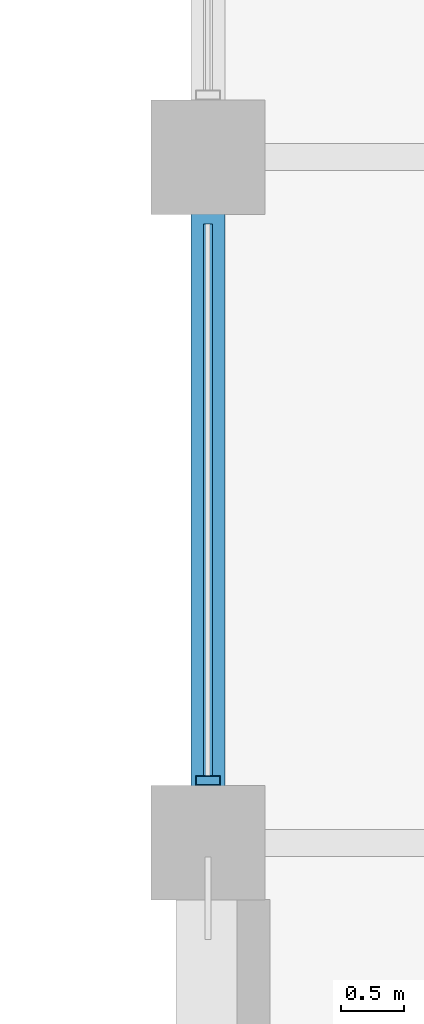
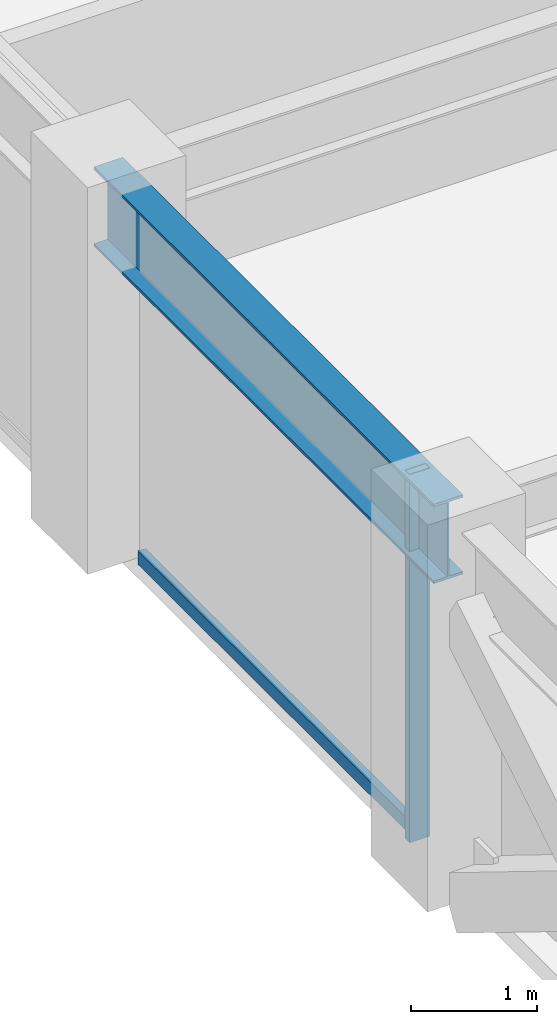
# One storey, part 4 of 32: 2 members, 1 beam, 1 element without a shape of its own.
"""IFC4 building model written with IfcOpenShell, lengths in metres."""

from ifc_helpers import new_model, si_unit, direction, frame, origin, origin_2d, place, context, subcontext, project, spatial, hollow_rectangle, i_section, extrude, material, layer, layer_set, material_profile, profile_set, type_object, element, aggregate, save


model = new_model("IFC4")

# Units and contexts
model_context = context("Model", 3, precision=1e-05, world=origin(), true_north=direction((0.0, 1.0)))
body_context = subcontext(model_context, "Body", "Model", "MODEL_VIEW")
ifc_project = project(units=[si_unit("LENGTHUNIT", "METRE"), si_unit("AREAUNIT", "SQUARE_METRE"), si_unit("VOLUMEUNIT", "CUBIC_METRE"), si_unit("PLANEANGLEUNIT", "RADIAN"), si_unit("MASSUNIT", "GRAM", prefix="KILO")], contexts=[model_context])

# Site, building, storey
site_placement = place(None, origin())
site = spatial("IfcSite", under=ifc_project, at=site_placement, CompositionType="ELEMENT")
building_placement = place(site_placement, origin())
building = spatial("IfcBuilding", under=site, at=building_placement, Name="Surkhivell Harbour Commons", CompositionType="ELEMENT")
storey_placement = place(building_placement, frame((0.0, 0.0, 189.75)))
storey = spatial("IfcBuildingStorey", under=building, at=storey_placement, Name="L49", CompositionType="ELEMENT", Elevation=189.75)

# Beam
ifc_material_1 = material(Name="Steel S355", Category="steel")
ifc_material_profile_1 = material_profile(ifc_material_1, i_section(OverallWidth=0.26806640625, OverallDepth=0.77001953125, WebThickness=0.015625, FlangeThickness=0.025390625, at=origin_2d()), Name="UB762x267x197")
ifc_profile_set_1 = profile_set([ifc_material_profile_1], Name="Steel S355")
beam_type = type_object("IfcBeamType", Name="BM-SPN-762", PredefinedType="SPANDREL", material=ifc_profile_set_1)
beam_placement = place(storey_placement, frame((-27.0, -10.800048828125, 3.18505859375), z_axis=(0.0, 1.0, 0.0), x_axis=(-1.0, 0.0, 0.0)))
element("IfcBeam", 1, at=beam_placement, inside=storey, type_object=beam_type, Name="L49 Tube Spandrel (-27.0,-10.8)", PredefinedType="SPANDREL", context=body_context, shape_type="SweptSolid", body=[
    extrude(i_section(OverallWidth=0.26806640625, OverallDepth=0.77001953125, WebThickness=0.015625, FlangeThickness=0.025390625, at=origin_2d()), origin(), (0.0, 0.0, 1.0), 5.400146484375),
])

# Curtain wall, members
ifc_material_2 = material(Name="Anodised pale-metal aluminium and insulated glazing", Category="aluminium")
ifc_layer = layer(ifc_material_2, 0.18994140625)
ifc_layer_set = layer_set([ifc_layer], Name="Anodised pale-metal aluminium and insulated glazing")
curtain_wall_type = type_object("IfcCurtainWallType", Name="CW-SYS-Z3", PredefinedType="NOTDEFINED", material=ifc_layer_set)
curtain_wall_placement = place(storey_placement, origin())
curtain_wall = element("IfcCurtainWall", 2, at=curtain_wall_placement, inside=storey, type_object=curtain_wall_type, Name="L49 Curtain Wall CW-L49-E12R1S1", PredefinedType="NOTDEFINED")
ifc_material_3 = material(Name="Anodised pale-metal aluminium alloy 6063-T6", Category="aluminium")
ifc_material_profile_2 = material_profile(ifc_material_3, hollow_rectangle(XDim=0.074951171875, YDim=0.18994140625, WallThickness=0.00390625, at=origin_2d()), Name="ALU-MULL-75x190")
ifc_profile_set_2 = profile_set([ifc_material_profile_2], Name="Anodised pale-metal aluminium alloy 6063-T6")
member_type_1 = type_object("IfcMemberType", Name="CWM-190", PredefinedType="MULLION", material=ifc_profile_set_2)
member_1_placement = place(storey_placement, frame((-27.0, -10.310546875, 0.0), z_axis=(0.0, 0.0, 1.0), x_axis=(0.0, 1.0, 0.0)))
member_1 = element("IfcMember", 3, at=member_1_placement, type_object=member_type_1, Name="CW-Z3 mullion 1", PredefinedType="MULLION", context=body_context, shape_type="SweptSolid", body=[
    extrude(hollow_rectangle(XDim=0.074951171875, YDim=0.18994140625, WallThickness=0.00390625, at=origin_2d()), origin(), (0.0, 0.0, 1.0), 3.570068359375),
])
ifc_material_4 = material(Name="Champagne anodised aluminium alloy 6063-T6", Category="aluminium")
ifc_material_profile_3 = material_profile(ifc_material_4, hollow_rectangle(XDim=0.070068359375, YDim=0.1298828125, WallThickness=0.00341796875, at=origin_2d()), Name="ALU-TRAN-70x130")
ifc_profile_set_3 = profile_set([ifc_material_profile_3], Name="Champagne anodised aluminium alloy 6063-T6")
member_type_2 = type_object("IfcMemberType", Name="CWT-130", PredefinedType="USERDEFINED", material=ifc_profile_set_3)
member_2_placement = place(storey_placement, frame((-27.0, -10.27294921875, 0.06494140625), z_axis=(0.0, 1.0, 0.0), x_axis=(-1.0, 0.0, 0.0)))
member_2 = element("IfcMember", 4, at=member_2_placement, type_object=member_type_2, Name="CW-Z3 transom 1.1", ObjectType="TRANSOM", PredefinedType="USERDEFINED", context=body_context, shape_type="SweptSolid", body=[
    extrude(hollow_rectangle(XDim=0.070068359375, YDim=0.1298828125, WallThickness=0.00341796875, at=origin_2d()), origin(), (0.0, 0.0, 1.0), 4.345947265625),
])
aggregate(curtain_wall, [member_1, member_2])

save(model, "model.ifc")
